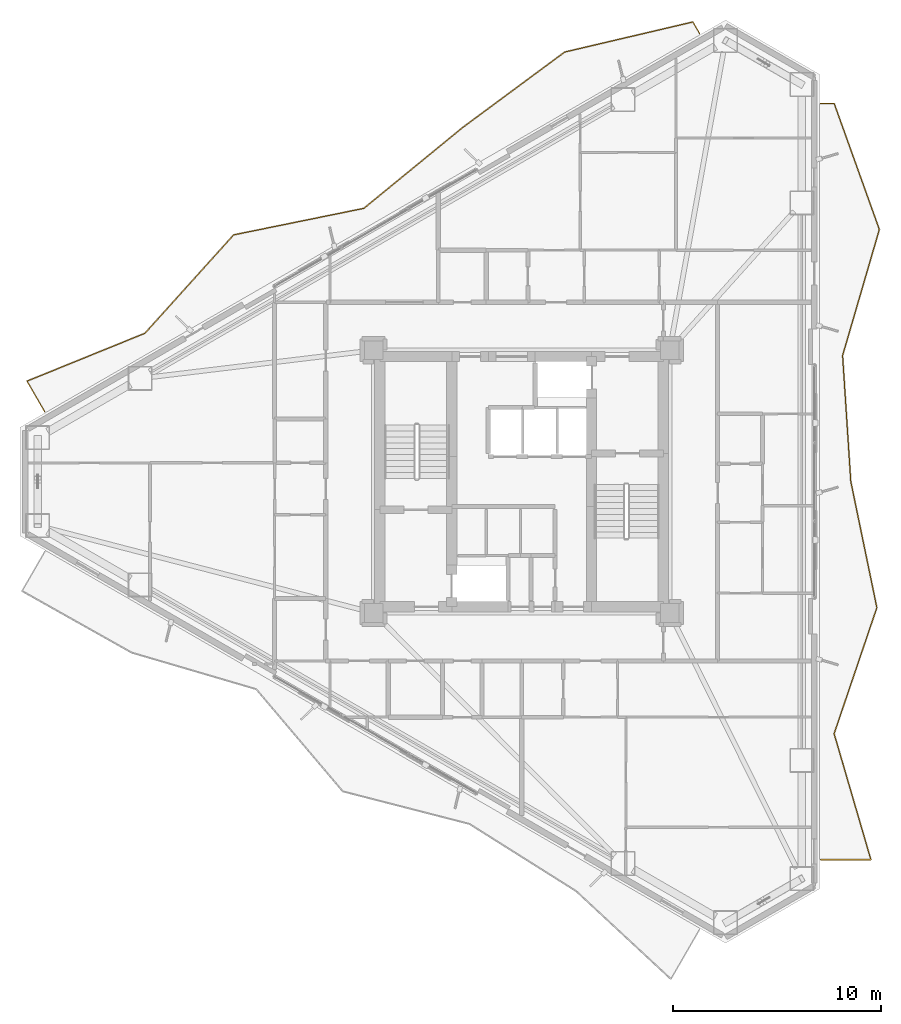
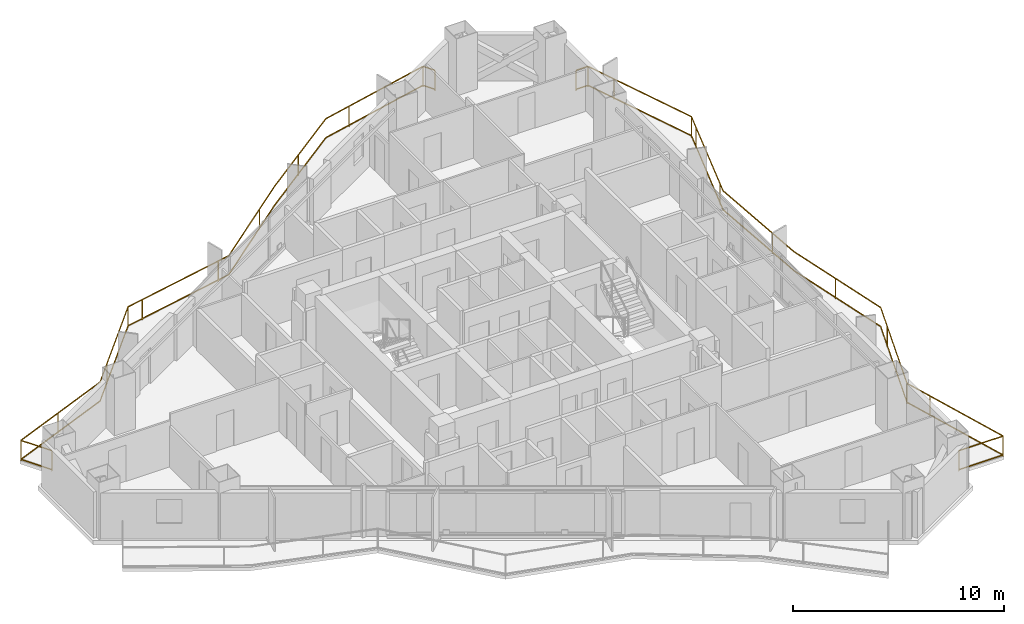
# One storey, part 22 of 22: 2 railings.
"""IFC4 building model written with IfcOpenShell, lengths in metres."""

from ifc_helpers import new_model, si_unit, direction, frame, origin, origin_2d, place, context, subcontext, project, spatial, rectangle, extrude, material, type_object, element, save


model = new_model("IFC4")

# Units and contexts
model_context = context("Model", 3, precision=1e-05, world=origin(), true_north=direction((0.0, 1.0)))
body_context = subcontext(model_context, "Body", "Model", "MODEL_VIEW")
ifc_project = project(units=[si_unit("LENGTHUNIT", "METRE"), si_unit("AREAUNIT", "SQUARE_METRE"), si_unit("VOLUMEUNIT", "CUBIC_METRE"), si_unit("PLANEANGLEUNIT", "RADIAN"), si_unit("MASSUNIT", "GRAM", prefix="KILO")], contexts=[model_context])

# Site, building, storey
site_placement = place(None, origin())
site = spatial("IfcSite", under=ifc_project, at=site_placement, CompositionType="ELEMENT")
building_placement = place(site_placement, origin())
building = spatial("IfcBuilding", under=site, at=building_placement, Name="Mersakhor Tower and Convention Hall", CompositionType="ELEMENT")
storey_placement = place(building_placement, frame((0.0, 0.0, 76.800048828125)))
storey = spatial("IfcBuildingStorey", under=building, at=storey_placement, Name="L20", CompositionType="ELEMENT", Elevation=76.800048828125)

# Railings
ifc_material = material(Name="Powder-coated galvanised steel and laminated glass balustrade", Category="steel")
railing_type = type_object("IfcRailingType", Name="RL-BAL-1200", PredefinedType="BALUSTRADE", material=ifc_material)
railing_1_placement = place(storey_placement, frame((37.541259765625, 48.2333984375, 0.0)))
element("IfcRailing", 1, at=railing_1_placement, inside=storey, type_object=railing_type, Name="L20 Sinusoidal Balcony Balustrade F1", PredefinedType="BALUSTRADE", context=body_context, shape_type="SweptSolid", body=[
    extrude(rectangle(XDim=0.048095703125, YDim=0.048095703125, at=origin_2d()), frame((0.0, 0.0, 1.17578125), z_axis=(-0.49989585183, 0.866085525409, 0.0), x_axis=(-0.866085525409, -0.49989585183, 0.0)), (0.0, 0.0, 1.0), 0.650146484375),
    extrude(rectangle(XDim=0.048095703125, YDim=0.048095703125, at=origin_2d()), frame((0.0, 0.0, 0.080078125), z_axis=(-0.49989585183, 0.866085525409, 0.0), x_axis=(-0.866085525409, -0.49989585183, 0.0)), (0.0, 0.0, 1.0), 0.650146484375),
    extrude(rectangle(XDim=0.048095703125, YDim=0.048095703125, at=origin_2d()), frame((-0.324951171875, 0.56298828125, 1.17578125), z_axis=(-0.97355185743, -0.228466148245, 0.0), x_axis=(0.228466148245, -0.97355185743, 0.0)), (0.0, 0.0, 1.0), 6.3154296875),
    extrude(rectangle(XDim=0.048095703125, YDim=0.048095703125, at=origin_2d()), frame((-0.324951171875, 0.56298828125, 0.080078125), z_axis=(-0.97355185743, -0.228466148245, 0.0), x_axis=(0.228466148245, -0.97355185743, 0.0)), (0.0, 0.0, 1.0), 6.3154296875),
    extrude(rectangle(XDim=0.048095703125, YDim=0.048095703125, at=origin_2d()), frame((-6.473388671875, -0.8798828125, 1.17578125), z_axis=(-0.804059393295, -0.594548982048, 0.0), x_axis=(0.594548982048, -0.804059393295, 0.0)), (0.0, 0.0, 1.0), 6.085205078125),
    extrude(rectangle(XDim=0.048095703125, YDim=0.048095703125, at=origin_2d()), frame((-6.473388671875, -0.8798828125, 0.080078125), z_axis=(-0.804059393295, -0.594548982048, 0.0), x_axis=(0.594548982048, -0.804059393295, 0.0)), (0.0, 0.0, 1.0), 6.085205078125),
    extrude(rectangle(XDim=0.048095703125, YDim=0.048095703125, at=origin_2d()), frame((-11.3662109375, -4.497802734375, 1.17578125), z_axis=(-0.773987480996, -0.633200899605, 0.0), x_axis=(0.633200899605, -0.773987480996, 0.0)), (0.0, 0.0, 1.0), 6.126708984375),
    extrude(rectangle(XDim=0.048095703125, YDim=0.048095703125, at=origin_2d()), frame((-11.3662109375, -4.497802734375, 0.080078125), z_axis=(-0.773987480996, -0.633200899605, 0.0), x_axis=(0.633200899605, -0.773987480996, 0.0)), (0.0, 0.0, 1.0), 6.126708984375),
    extrude(rectangle(XDim=0.048095703125, YDim=0.048095703125, at=origin_2d()), frame((-16.108154296875, -8.377197265625, 1.17578125), z_axis=(-0.979861287663, -0.199679385362, 0.0), x_axis=(0.199679385362, -0.979861287663, 0.0)), (0.0, 0.0, 1.0), 6.375),
    extrude(rectangle(XDim=0.048095703125, YDim=0.048095703125, at=origin_2d()), frame((-16.108154296875, -8.377197265625, 0.080078125), z_axis=(-0.979861287663, -0.199679385362, 0.0), x_axis=(0.199679385362, -0.979861287663, 0.0)), (0.0, 0.0, 1.0), 6.375),
    extrude(rectangle(XDim=0.048095703125, YDim=0.048095703125, at=origin_2d()), frame((-22.354736328125, -9.650146484375, 1.17578125), z_axis=(-0.66963295377, -0.742692202211, 0.0), x_axis=(0.742692202211, -0.66963295377, 0.0)), (0.0, 0.0, 1.0), 6.35595703125),
    extrude(rectangle(XDim=0.048095703125, YDim=0.048095703125, at=origin_2d()), frame((-22.354736328125, -9.650146484375, 0.080078125), z_axis=(-0.66963295377, -0.742692202211, 0.0), x_axis=(0.742692202211, -0.66963295377, 0.0)), (0.0, 0.0, 1.0), 6.35595703125),
    extrude(rectangle(XDim=0.048095703125, YDim=0.048095703125, at=origin_2d()), frame((-26.61083984375, -14.37060546875, 1.17578125), z_axis=(-0.926578103575, -0.376102403575, 0.0), x_axis=(0.376102403575, -0.926578103575, 0.0)), (0.0, 0.0, 1.0), 6.1044921875),
    extrude(rectangle(XDim=0.048095703125, YDim=0.048095703125, at=origin_2d()), frame((-26.61083984375, -14.37060546875, 0.080078125), z_axis=(-0.926578103575, -0.376102403575, 0.0), x_axis=(0.376102403575, -0.926578103575, 0.0)), (0.0, 0.0, 1.0), 6.1044921875),
    extrude(rectangle(XDim=0.048095703125, YDim=0.048095703125, at=origin_2d()), frame((-32.26708984375, -16.66650390625, 1.17578125), z_axis=(0.499954529098, -0.86605165483, 0.0), x_axis=(0.86605165483, 0.499954529098, 0.0)), (0.0, 0.0, 1.0), 1.699951171875),
    extrude(rectangle(XDim=0.048095703125, YDim=0.048095703125, at=origin_2d()), frame((-32.26708984375, -16.66650390625, 0.080078125), z_axis=(0.499954529098, -0.86605165483, 0.0), x_axis=(0.86605165483, 0.499954529098, 0.0)), (0.0, 0.0, 1.0), 1.699951171875),
    extrude(rectangle(XDim=0.0419921875, YDim=0.0419921875, at=origin_2d()), origin(), (0.0, 0.0, 1.0), 1.15185546875),
    extrude(rectangle(XDim=0.0419921875, YDim=0.0419921875, at=origin_2d()), frame((-0.324951171875, 0.56298828125, 0.0)), (0.0, 0.0, 1.0), 1.15185546875),
    extrude(rectangle(XDim=0.0419921875, YDim=0.0419921875, at=origin_2d()), frame((-4.998046875, -0.53369140625, 0.0)), (0.0, 0.0, 1.0), 1.15185546875),
    extrude(rectangle(XDim=0.0419921875, YDim=0.0419921875, at=origin_2d()), frame((-9.1142578125, -2.832763671875, 0.0)), (0.0, 0.0, 1.0), 1.15185546875),
    extrude(rectangle(XDim=0.0419921875, YDim=0.0419921875, at=origin_2d()), frame((-12.913818359375, -5.763916015625, 0.0)), (0.0, 0.0, 1.0), 1.15185546875),
    extrude(rectangle(XDim=0.0419921875, YDim=0.0419921875, at=origin_2d()), frame((-16.767333984375, -8.511474609375, 0.0)), (0.0, 0.0, 1.0), 1.15185546875),
    extrude(rectangle(XDim=0.0419921875, YDim=0.0419921875, at=origin_2d()), frame((-21.470703125, -9.469970703125, 0.0)), (0.0, 0.0, 1.0), 1.15185546875),
    extrude(rectangle(XDim=0.0419921875, YDim=0.0419921875, at=origin_2d()), frame((-22.354736328125, -9.650146484375, 0.0)), (0.0, 0.0, 1.0), 1.15185546875),
    extrude(rectangle(XDim=0.0419921875, YDim=0.0419921875, at=origin_2d()), frame((-25.569091796875, -13.215087890625, 0.0)), (0.0, 0.0, 1.0), 1.15185546875),
    extrude(rectangle(XDim=0.0419921875, YDim=0.0419921875, at=origin_2d()), frame((-29.61669921875, -15.5908203125, 0.0)), (0.0, 0.0, 1.0), 1.15185546875),
    extrude(rectangle(XDim=0.0419921875, YDim=0.0419921875, at=origin_2d()), frame((-32.26708984375, -16.66650390625, 0.0)), (0.0, 0.0, 1.0), 1.15185546875),
    extrude(rectangle(XDim=0.0419921875, YDim=0.0419921875, at=origin_2d()), frame((-31.417236328125, -18.138671875, 0.0)), (0.0, 0.0, 1.0), 1.15185546875),
])
railing_2_placement = place(storey_placement, frame((43.334716796875, 8.611328125, 0.0)))
element("IfcRailing", 2, at=railing_2_placement, inside=storey, type_object=railing_type, Name="L20 Sinusoidal Balcony Balustrade F2", PredefinedType="BALUSTRADE", context=body_context, shape_type="SweptSolid", body=[
    extrude(rectangle(XDim=0.048095703125, YDim=0.048095703125, at=origin_2d()), frame((0.0, 0.0, 1.17578125), z_axis=(1.0, 0.0, 0.0), x_axis=(0.0, 1.0, 0.0)), (0.0, 0.0, 1.0), 2.415283203125),
    extrude(rectangle(XDim=0.048095703125, YDim=0.048095703125, at=origin_2d()), frame((0.0, 0.0, 0.080078125), z_axis=(1.0, 0.0, 0.0), x_axis=(0.0, 1.0, 0.0)), (0.0, 0.0, 1.0), 2.415283203125),
    extrude(rectangle(XDim=0.048095703125, YDim=0.048095703125, at=origin_2d()), frame((2.415283203125, 0.0, 1.17578125), z_axis=(-0.280281300323, 0.959917909349, 0.0), x_axis=(-0.959917909349, -0.280281300323, 0.0)), (0.0, 0.0, 1.0), 6.298583984375),
    extrude(rectangle(XDim=0.048095703125, YDim=0.048095703125, at=origin_2d()), frame((2.415283203125, 0.0, 0.080078125), z_axis=(-0.280281300323, 0.959917909349, 0.0), x_axis=(-0.959917909349, -0.280281300323, 0.0)), (0.0, 0.0, 1.0), 6.298583984375),
    extrude(rectangle(XDim=0.048095703125, YDim=0.048095703125, at=origin_2d()), frame((0.64990234375, 6.046142578125, 1.17578125), z_axis=(0.321270627055, 0.946987425572, 0.0), x_axis=(-0.946987425572, 0.321270627055, 0.0)), (0.0, 0.0, 1.0), 6.384765625),
    extrude(rectangle(XDim=0.048095703125, YDim=0.048095703125, at=origin_2d()), frame((0.64990234375, 6.046142578125, 0.080078125), z_axis=(0.321270627055, 0.946987425572, 0.0), x_axis=(-0.946987425572, 0.321270627055, 0.0)), (0.0, 0.0, 1.0), 6.384765625),
    extrude(rectangle(XDim=0.048095703125, YDim=0.048095703125, at=origin_2d()), frame((2.701171875, 12.092529296875, 1.17578125), z_axis=(-0.202537609976, 0.979274484782, 0.0), x_axis=(-0.979274484782, -0.202537609976, 0.0)), (0.0, 0.0, 1.0), 6.174072265625),
    extrude(rectangle(XDim=0.048095703125, YDim=0.048095703125, at=origin_2d()), frame((2.701171875, 12.092529296875, 0.080078125), z_axis=(-0.202537609976, 0.979274484782, 0.0), x_axis=(-0.979274484782, -0.202537609976, 0.0)), (0.0, 0.0, 1.0), 6.174072265625),
    extrude(rectangle(XDim=0.048095703125, YDim=0.048095703125, at=origin_2d()), frame((1.45068359375, 18.138671875, 1.17578125), z_axis=(-0.064914280211, 0.997890843842, 0.0), x_axis=(-0.997890843842, -0.064914280211, 0.0)), (0.0, 0.0, 1.0), 6.058837890625),
    extrude(rectangle(XDim=0.048095703125, YDim=0.048095703125, at=origin_2d()), frame((1.45068359375, 18.138671875, 0.080078125), z_axis=(-0.064914280211, 0.997890843842, 0.0), x_axis=(-0.997890843842, -0.064914280211, 0.0)), (0.0, 0.0, 1.0), 6.058837890625),
    extrude(rectangle(XDim=0.048095703125, YDim=0.048095703125, at=origin_2d()), frame((1.057373046875, 24.184814453125, 1.17578125), z_axis=(0.279842208474, 0.960046008458, 0.0), x_axis=(-0.960046008458, 0.279842208474, 0.0)), (0.0, 0.0, 1.0), 6.298095703125),
    extrude(rectangle(XDim=0.048095703125, YDim=0.048095703125, at=origin_2d()), frame((1.057373046875, 24.184814453125, 0.080078125), z_axis=(0.279842208474, 0.960046008458, 0.0), x_axis=(-0.960046008458, 0.279842208474, 0.0)), (0.0, 0.0, 1.0), 6.298095703125),
    extrude(rectangle(XDim=0.048095703125, YDim=0.048095703125, at=origin_2d()), frame((2.81982421875, 30.231201171875, 1.17578125), z_axis=(-0.337494341887, 0.941327556802, 0.0), x_axis=(-0.941327556802, -0.337494341887, 0.0)), (0.0, 0.0, 1.0), 6.423095703125),
    extrude(rectangle(XDim=0.048095703125, YDim=0.048095703125, at=origin_2d()), frame((2.81982421875, 30.231201171875, 0.080078125), z_axis=(-0.337494341887, 0.941327556802, 0.0), x_axis=(-0.941327556802, -0.337494341887, 0.0)), (0.0, 0.0, 1.0), 6.423095703125),
    extrude(rectangle(XDim=0.048095703125, YDim=0.048095703125, at=origin_2d()), frame((0.652099609375, 36.27734375, 1.17578125), z_axis=(-1.0, 0.0, 0.0), x_axis=(0.0, -1.0, 0.0)), (0.0, 0.0, 1.0), 0.652099609375),
    extrude(rectangle(XDim=0.048095703125, YDim=0.048095703125, at=origin_2d()), frame((0.652099609375, 36.27734375, 0.080078125), z_axis=(-1.0, 0.0, 0.0), x_axis=(0.0, -1.0, 0.0)), (0.0, 0.0, 1.0), 0.652099609375),
    extrude(rectangle(XDim=0.0419921875, YDim=0.0419921875, at=origin_2d()), origin(), (0.0, 0.0, 1.0), 1.15185546875),
    extrude(rectangle(XDim=0.0419921875, YDim=0.0419921875, at=origin_2d()), frame((2.415283203125, 0.0, 0.0)), (0.0, 0.0, 1.0), 1.15185546875),
    extrude(rectangle(XDim=0.0419921875, YDim=0.0419921875, at=origin_2d()), frame((1.06982421875, 4.607666015625, 0.0)), (0.0, 0.0, 1.0), 1.15185546875),
    extrude(rectangle(XDim=0.0419921875, YDim=0.0419921875, at=origin_2d()), frame((0.64990234375, 6.046142578125, 0.0)), (0.0, 0.0, 1.0), 1.15185546875),
    extrude(rectangle(XDim=0.0419921875, YDim=0.0419921875, at=origin_2d()), frame((2.19189453125, 10.591796875, 0.0)), (0.0, 0.0, 1.0), 1.15185546875),
    extrude(rectangle(XDim=0.0419921875, YDim=0.0419921875, at=origin_2d()), frame((2.050048828125, 15.240966796875, 0.0)), (0.0, 0.0, 1.0), 1.15185546875),
    extrude(rectangle(XDim=0.0419921875, YDim=0.0419921875, at=origin_2d()), frame((1.3310546875, 19.975830078125, 0.0)), (0.0, 0.0, 1.0), 1.15185546875),
    extrude(rectangle(XDim=0.0419921875, YDim=0.0419921875, at=origin_2d()), frame((1.22021484375, 24.74365234375, 0.0)), (0.0, 0.0, 1.0), 1.15185546875),
    extrude(rectangle(XDim=0.0419921875, YDim=0.0419921875, at=origin_2d()), frame((2.5634765625, 29.351806640625, 0.0)), (0.0, 0.0, 1.0), 1.15185546875),
    extrude(rectangle(XDim=0.0419921875, YDim=0.0419921875, at=origin_2d()), frame((2.81982421875, 30.231201171875, 0.0)), (0.0, 0.0, 1.0), 1.15185546875),
    extrude(rectangle(XDim=0.0419921875, YDim=0.0419921875, at=origin_2d()), frame((1.199951171875, 34.74951171875, 0.0)), (0.0, 0.0, 1.0), 1.15185546875),
    extrude(rectangle(XDim=0.0419921875, YDim=0.0419921875, at=origin_2d()), frame((0.652099609375, 36.27734375, 0.0)), (0.0, 0.0, 1.0), 1.15185546875),
    extrude(rectangle(XDim=0.0419921875, YDim=0.0419921875, at=origin_2d()), frame((0.0, 36.27734375, 0.0)), (0.0, 0.0, 1.0), 1.15185546875),
])

save(model, "model.ifc")
